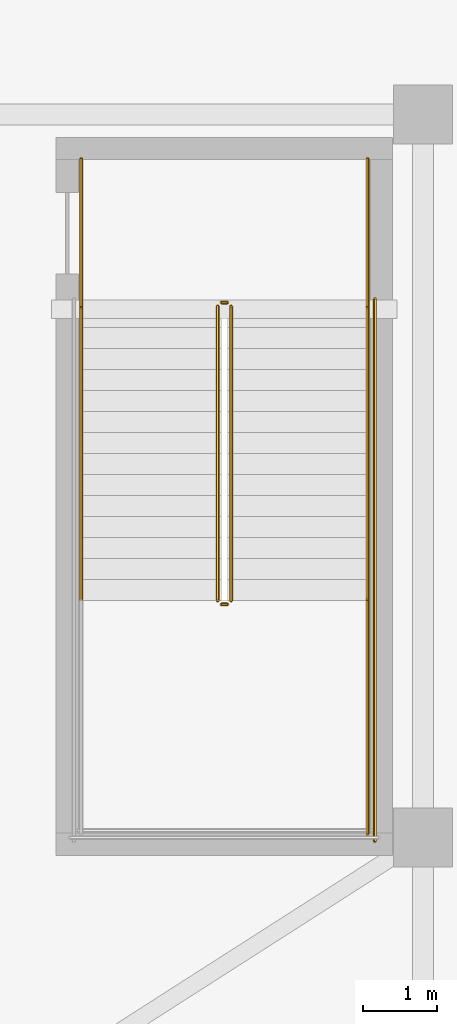
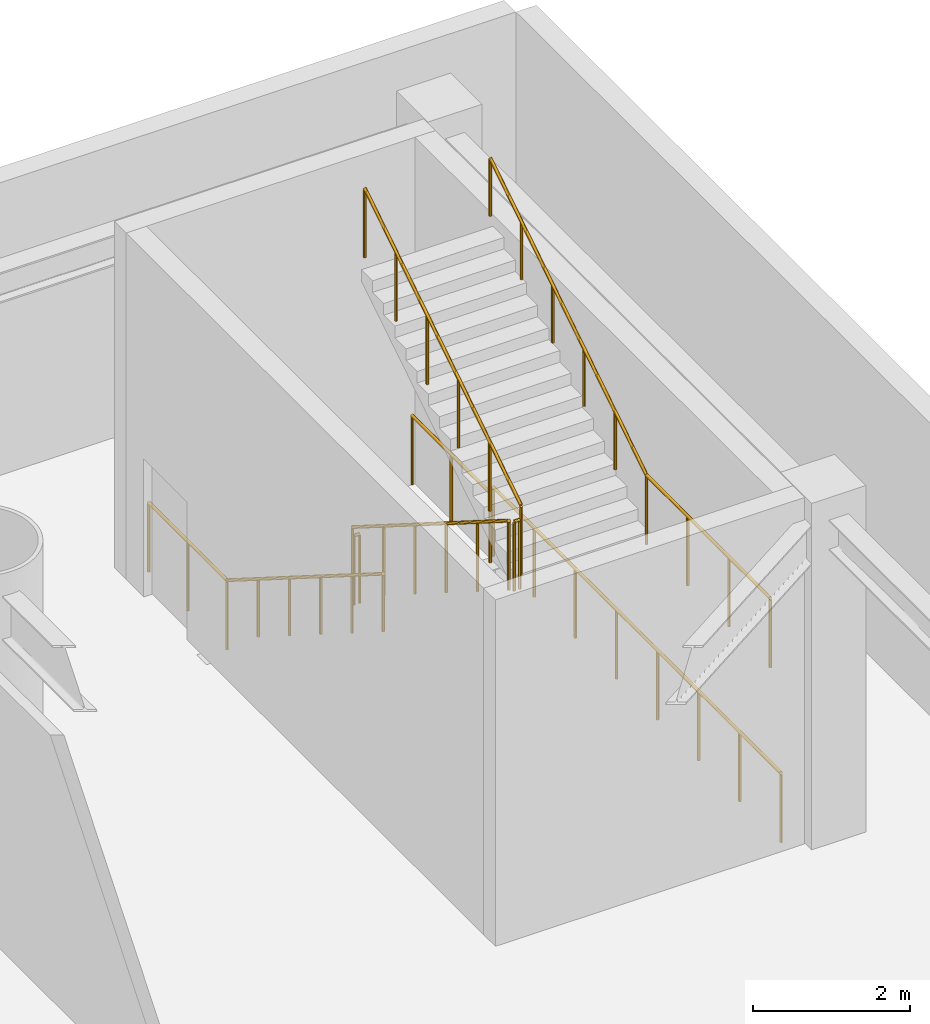
# One storey, part 16 of 16: 10 railings.
"""IFC4 building model written with IfcOpenShell, lengths in metres."""

import ifcopenshell
import ifcopenshell.guid

model = None  # the IFC model being written
_history = None  # IfcOwnerHistory: only IFC2X3 demands one
_inside = {}  # id of a spatial element -> (the spatial element, [elements in it])
_under = {}  # id of a project, library or spatial element -> (it, [spatial elements below it])
_declared = {}  # id of a project -> (the project, [libraries it declares])
_typed = {}  # id of a type object -> (the type object, [elements of that type])
_made_of = {}  # id of a material, layer set ... -> (it, [elements and type objects made of it])


def new_model(schema):
    """Start an empty IFC model of exactly this schema.

    Asked for "IFC4X3", IfcOpenShell would pick the latest addendum, in which some entities
    have other attributes; the version numbers below select the first issue.
    IFC2X3 requires an IfcOwnerHistory on every rooted entity: one is made here for all.
    """
    global model, _history
    if schema == "IFC4X3":
        model = ifcopenshell.file(schema_version=(4, 3, 0, 0))
    else:
        model = ifcopenshell.file(schema=schema)
    _inside.clear()
    _under.clear()
    _declared.clear()
    _typed.clear()
    _made_of.clear()
    _history = None
    if model.schema == "IFC2X3":
        org = make("IfcOrganization", Name="unknown")
        user = make(
            "IfcPersonAndOrganization",
            ThePerson=make("IfcPerson", FamilyName="unknown"),
            TheOrganization=org,
        )
        app = make(
            "IfcApplication",
            ApplicationDeveloper=org,
            Version="unknown",
            ApplicationFullName="unknown",
            ApplicationIdentifier="unknown",
        )
        _history = make(
            "IfcOwnerHistory",
            OwningUser=user,
            OwningApplication=app,
            ChangeAction="ADDED",
            CreationDate=0,
        )
    return model


def make(cls, **values):
    """One entity of the class cls with the attributes given. An attribute that is None is left unset."""
    return model.create_entity(
        cls, **{name: value for name, value in values.items() if value is not None}
    )


def rooted(cls, **values):
    """An entity with a GlobalId (a new one), such as an element, a storey or a relation."""
    return make(cls, GlobalId=ifcopenshell.guid.new(), OwnerHistory=_history, **values)


def si_unit(unit_type, name, prefix=None):
    """IfcSIUnit, for example si_unit("LENGTHUNIT", "METRE", prefix="MILLI")."""
    return make("IfcSIUnit", UnitType=unit_type, Prefix=prefix, Name=name)


def assignment(units):
    """IfcUnitAssignment: the units of a project."""
    return None if units is None else make("IfcUnitAssignment", Units=units)


def point(xyz):
    """IfcCartesianPoint."""
    return None if xyz is None else make("IfcCartesianPoint", Coordinates=xyz)


def direction(xyz):
    """IfcDirection."""
    return None if xyz is None else make("IfcDirection", DirectionRatios=xyz)


def frame(location, z_axis=None, x_axis=None):
    """IfcAxis2Placement3D, a coordinate frame: its origin and axes. An axis left out is left unset."""
    return make(
        "IfcAxis2Placement3D",
        Location=point(location),
        Axis=direction(z_axis),
        RefDirection=direction(x_axis),
    )


def frame_2d(location, x_axis=None):
    """IfcAxis2Placement2D, a coordinate frame in the plane: its origin and x axis."""
    return make(
        "IfcAxis2Placement2D", Location=point(location), RefDirection=direction(x_axis)
    )


def origin():
    """The frame at (0, 0, 0) with its axes left unset."""
    return frame((0.0, 0.0, 0.0))


def origin_2d():
    """The frame at (0, 0) in the plane with its x axis left unset."""
    return frame_2d((0.0, 0.0))


def place(relative_to, where):
    """IfcLocalPlacement: puts the frame where relative to a parent placement (None: the world)."""
    return make(
        "IfcLocalPlacement", PlacementRelTo=relative_to, RelativePlacement=where
    )


def context(
    kind, dimensions, precision=None, world=None, true_north=None, identifier=None
):
    """IfcGeometricRepresentationContext, for example the 3D "Model" context."""
    return make(
        "IfcGeometricRepresentationContext",
        ContextIdentifier=identifier,
        ContextType=kind,
        CoordinateSpaceDimension=dimensions,
        Precision=precision,
        WorldCoordinateSystem=world,
        TrueNorth=true_north,
    )


def subcontext(parent, identifier, kind, view, scale=None):
    """IfcGeometricRepresentationSubContext, for example "Body" below "Model"."""
    return make(
        "IfcGeometricRepresentationSubContext",
        ContextIdentifier=identifier,
        ContextType=kind,
        ParentContext=parent,
        TargetScale=scale,
        TargetView=view,
    )


def project(units=None, contexts=None):
    """IfcProject with its units and contexts."""
    return rooted(
        "IfcProject",
        Name="project",
        RepresentationContexts=contexts,
        UnitsInContext=assignment(units),
    )


def spatial(cls, under=None, at=None, **own):
    """A site, building, storey or space (cls), placed at a placement, below another one or the project."""
    s = rooted(cls, ObjectPlacement=at, **own)
    if under is not None:
        _under.setdefault(under.id(), (under, []))[1].append(s)
    return s


def profile(cls, at=None, kind="AREA", **sizes):
    """A parametric profile (cls). Its sizes go by their IFC names, for example OverallWidth=200.0."""
    return make(cls, ProfileType=kind, Position=at, **sizes)


def circle(**sizes):
    """IfcCircleProfileDef."""
    return profile("IfcCircleProfileDef", **sizes)


def extrude(swept, where, along, depth):
    """IfcExtrudedAreaSolid: the profile swept, set in the frame where, extruded along a direction by depth."""
    return make(
        "IfcExtrudedAreaSolid",
        SweptArea=swept,
        Position=where,
        ExtrudedDirection=direction(along),
        Depth=depth,
    )


def shape(context_of_items, identifier, shape_type, items):
    """IfcShapeRepresentation: the items that make up one representation, for example the "Body"."""
    return make(
        "IfcShapeRepresentation",
        ContextOfItems=context_of_items,
        RepresentationIdentifier=identifier,
        RepresentationType=shape_type,
        Items=items,
    )


def material(Name=None, Category=None):
    """IfcMaterial."""
    return make("IfcMaterial", Name=Name, Category=Category)


def made_of(thing, what):
    """Note that an element or type object is made of a material, layer set ...; save() writes the relation."""
    if what is not None:
        _made_of.setdefault(what.id(), (what, []))[1].append(thing)
    return thing


def type_object(cls, material=None, **own):
    """A type object (cls), such as IfcWallType, which elements share."""
    return made_of(rooted(cls, **own), material)


def element(
    cls,
    number,
    at=None,
    inside=None,
    cuts=None,
    type_object=None,
    material=None,
    context=None,
    identifier="Body",
    shape_type=None,
    held_by="IfcProductDefinitionShape",
    body=None,
    shapes=None,
    **own,
):
    """One element of the class cls, such as IfcWall. Its Tag is "e" and its number.

    at: its placement. inside: the storey or other place that contains it. cuts: it is an
    opening in that element (IfcRelVoidsElement). A single representation is given by context,
    identifier, shape_type and body (its items); several are given by shapes. held_by: the class
    of the entity that holds the representations. save() writes the other relations.
    """
    e = rooted(cls, Tag="e%d" % number, ObjectPlacement=at, **own)
    if body is not None:
        shapes = [shape(context, identifier, shape_type, body)]
    if shapes is not None:
        e.Representation = make(held_by, Representations=shapes)
    if inside is not None:
        _inside.setdefault(inside.id(), (inside, []))[1].append(e)
    if cuts is not None:
        rooted(
            "IfcRelVoidsElement", RelatingBuildingElement=cuts, RelatedOpeningElement=e
        )
    if type_object is not None:
        _typed.setdefault(type_object.id(), (type_object, []))[1].append(e)
    return made_of(e, material)


def aggregate(whole, parts):
    """IfcRelAggregates: a whole, such as a stair, and the parts it consists of."""
    return rooted("IfcRelAggregates", RelatingObject=whole, RelatedObjects=parts)


def save(model, path):
    """Write the relations noted so far, then the file.

    IfcRelAggregates (storeys below a building ...), IfcRelContainedInSpatialStructure (elements
    in a storey), IfcRelDefinesByType, IfcRelAssociatesMaterial and IfcRelDeclares: one each for
    every whole, place, type object, material and project.
    """
    for whole, parts in _under.values():
        aggregate(whole, parts)
    for where, things in _inside.values():
        rooted(
            "IfcRelContainedInSpatialStructure",
            RelatedElements=things,
            RelatingStructure=where,
        )
    for kind, things in _typed.values():
        rooted("IfcRelDefinesByType", RelatedObjects=things, RelatingType=kind)
    for what, things in _made_of.values():
        rooted("IfcRelAssociatesMaterial", RelatedObjects=things, RelatingMaterial=what)
    for by, libraries in _declared.values():
        rooted("IfcRelDeclares", RelatingContext=by, RelatedDefinitions=libraries)
    model.write(path)


model = new_model("IFC4")

# Units and contexts
model_context = context("Model", 3, precision=1e-05, world=origin(), true_north=direction((0.0, 1.0)))
body_context = subcontext(model_context, "Body", "Model", "MODEL_VIEW")
ifc_project = project(units=[si_unit("LENGTHUNIT", "METRE"), si_unit("AREAUNIT", "SQUARE_METRE"), si_unit("VOLUMEUNIT", "CUBIC_METRE"), si_unit("PLANEANGLEUNIT", "RADIAN"), si_unit("MASSUNIT", "GRAM", prefix="KILO")], contexts=[model_context])

# Site, building, storey
site_placement = place(None, origin())
site = spatial("IfcSite", under=ifc_project, at=site_placement, CompositionType="ELEMENT")
building_placement = place(site_placement, origin())
building = spatial("IfcBuilding", under=site, at=building_placement, Name="Bramvorn Convention Spire", CompositionType="ELEMENT")
storey_placement = place(building_placement, frame((0.0, 0.0, 6.60009765625)))
storey = spatial("IfcBuildingStorey", under=building, at=storey_placement, Name="L01", CompositionType="ELEMENT", Elevation=6.60009765625)

# Railings
ifc_material_1 = material(Name="Painted Steel Balustrade & Guardrail", Category="steel")
railing_type_1 = type_object("IfcRailingType", Name="RL-STAIR-GUARD-1100", PredefinedType="GUARDRAIL", material=ifc_material_1)
railing_1_placement = place(storey_placement, frame((70.419921875, 46.800048828125, 0.179931640625)))
element("IfcRailing", 1, at=railing_1_placement, inside=storey, type_object=railing_type_1, Name="L01 ST5 stair guard 1", PredefinedType="GUARDRAIL", context=body_context, shape_type="SweptSolid", body=[
    extrude(circle(Radius=0.02392578125, at=origin_2d()), frame((0.0, 0.0, 1.076171875), z_axis=(0.0, -0.845486444383, 0.533996884227), x_axis=(1.0, 0.0, 0.0)), (0.0, 0.0, 1.0), 4.71923828125),
    extrude(circle(Radius=0.02099609375, at=origin_2d()), origin(), (0.0, 0.0, 1.0), 1.052001953125),
    extrude(circle(Radius=0.02099609375, at=origin_2d()), frame((0.0, -0.798095703125, 0.50390625)), (0.0, 0.0, 1.0), 1.052001953125),
    extrude(circle(Radius=0.02099609375, at=origin_2d()), frame((0.0, -1.595947265625, 1.008056640625)), (0.0, 0.0, 1.0), 1.052001953125),
    extrude(circle(Radius=0.02099609375, at=origin_2d()), frame((0.0, -2.39404296875, 1.511962890625)), (0.0, 0.0, 1.0), 1.052001953125),
    extrude(circle(Radius=0.02099609375, at=origin_2d()), frame((0.0, -3.19189453125, 2.01611328125)), (0.0, 0.0, 1.0), 1.052001953125),
    extrude(circle(Radius=0.02099609375, at=origin_2d()), frame((0.0, -3.989990234375, 2.52001953125)), (0.0, 0.0, 1.0), 1.052001953125),
])
railing_2_placement = place(storey_placement, frame((70.469970703125, 42.760009765625, 2.699951171875)))
element("IfcRailing", 2, at=railing_2_placement, inside=storey, type_object=railing_type_1, Name="L01 ST5 stair guard 2", PredefinedType="GUARDRAIL", context=body_context, shape_type="SweptSolid", body=[
    extrude(circle(Radius=0.02392578125, at=origin_2d()), frame((0.0, 0.0, 1.076171875), z_axis=(1.0, 0.0, 0.0), x_axis=(0.0, 1.0, 0.0)), (0.0, 0.0, 1.0), 0.080078125),
    extrude(circle(Radius=0.02099609375, at=origin_2d()), origin(), (0.0, 0.0, 1.0), 1.052001953125),
    extrude(circle(Radius=0.02099609375, at=origin_2d()), frame((0.080078125, 0.0, 0.0)), (0.0, 0.0, 1.0), 1.052001953125),
])
railing_3_placement = place(storey_placement, frame((72.449951171875, 42.81005859375, 2.699951171875)))
element("IfcRailing", 3, at=railing_3_placement, inside=storey, type_object=railing_type_1, Name="L01 ST5 stair guard 4", PredefinedType="GUARDRAIL", context=body_context, shape_type="SweptSolid", body=[
    extrude(circle(Radius=0.02392578125, at=origin_2d()), frame((0.0, 0.0, 1.076171875), z_axis=(0.0, -1.0, 0.0), x_axis=(1.0, 0.0, 0.0)), (0.0, 0.0, 1.0), 3.16015625),
    extrude(circle(Radius=0.02099609375, at=origin_2d()), origin(), (0.0, 0.0, 1.0), 1.052001953125),
    extrude(circle(Radius=0.02099609375, at=origin_2d()), frame((0.0, -1.053466796875, 0.0)), (0.0, 0.0, 1.0), 1.052001953125),
    extrude(circle(Radius=0.02099609375, at=origin_2d()), frame((0.0, -2.106689453125, 0.0)), (0.0, 0.0, 1.0), 1.052001953125),
    extrude(circle(Radius=0.02099609375, at=origin_2d()), frame((0.0, -3.16015625, 0.0)), (0.0, 0.0, 1.0), 1.052001953125),
])
railing_4_placement = place(storey_placement, frame((70.60009765625, 42.81005859375, 2.8798828125)))
element("IfcRailing", 4, at=railing_4_placement, inside=storey, type_object=railing_type_1, Name="L01 ST5 stair guard 6", PredefinedType="GUARDRAIL", context=body_context, shape_type="SweptSolid", body=[
    extrude(circle(Radius=0.02392578125, at=origin_2d()), frame((0.0, 0.0, 1.076171875), z_axis=(0.0, 0.845486444383, 0.533996884227), x_axis=(-1.0, 0.0, 0.0)), (0.0, 0.0, 1.0), 4.71923828125),
    extrude(circle(Radius=0.02099609375, at=origin_2d()), origin(), (0.0, 0.0, 1.0), 1.052001953125),
    extrude(circle(Radius=0.02099609375, at=origin_2d()), frame((0.0, 0.798095703125, 0.50390625)), (0.0, 0.0, 1.0), 1.052001953125),
    extrude(circle(Radius=0.02099609375, at=origin_2d()), frame((0.0, 1.595947265625, 1.008056640625)), (0.0, 0.0, 1.0), 1.052001953125),
    extrude(circle(Radius=0.02099609375, at=origin_2d()), frame((0.0, 2.39404296875, 1.511962890625)), (0.0, 0.0, 1.0), 1.052001953125),
    extrude(circle(Radius=0.02099609375, at=origin_2d()), frame((0.0, 3.19189453125, 2.01611328125)), (0.0, 0.0, 1.0), 1.052001953125),
    extrude(circle(Radius=0.02099609375, at=origin_2d()), frame((0.0, 3.989990234375, 2.52001953125)), (0.0, 0.0, 1.0), 1.052001953125),
])
railing_5_placement = place(storey_placement, frame((70.469970703125, 46.85009765625, 0.0)))
element("IfcRailing", 5, at=railing_5_placement, inside=storey, type_object=railing_type_1, Name="L01 ST5 stair guard 7", PredefinedType="GUARDRAIL", context=body_context, shape_type="SweptSolid", body=[
    extrude(circle(Radius=0.02392578125, at=origin_2d()), frame((0.0, 0.0, 1.076171875), z_axis=(1.0, 0.0, 0.0), x_axis=(0.0, 1.0, 0.0)), (0.0, 0.0, 1.0), 0.080078125),
    extrude(circle(Radius=0.02099609375, at=origin_2d()), origin(), (0.0, 0.0, 1.0), 1.052001953125),
    extrude(circle(Radius=0.02099609375, at=origin_2d()), frame((0.080078125, 0.0, 0.0)), (0.0, 0.0, 1.0), 1.052001953125),
])
for number, where, name in (
    (6, (68.570068359375, 48.800048828125, 0.0), "L01 ST5 stair guard 8"),
    (7, (72.449951171875, 48.800048828125, 0.0), "L01 ST5 stair guard 9"),
):
    element("IfcRailing", number, at=place(storey_placement, frame(where)), inside=storey, type_object=railing_type_1, Name=name, PredefinedType="GUARDRAIL", context=body_context, shape_type="SweptSolid", body=[
        extrude(circle(Radius=0.02392578125, at=origin_2d()), frame((0.0, 0.0, 1.076171875), z_axis=(0.0, -1.0, 0.0), x_axis=(1.0, 0.0, 0.0)), (0.0, 0.0, 1.0), 2.0),
        extrude(circle(Radius=0.02099609375, at=origin_2d()), origin(), (0.0, 0.0, 1.0), 1.052001953125),
        extrude(circle(Radius=0.02099609375, at=origin_2d()), frame((0.0, -1.0, 0.0)), (0.0, 0.0, 1.0), 1.052001953125),
        extrude(circle(Radius=0.02099609375, at=origin_2d()), frame((0.0, -2.0, 0.0)), (0.0, 0.0, 1.0), 1.052001953125),
    ])
railing_6_placement = place(storey_placement, frame((72.550048828125, 46.89990234375, 0.0)))
element("IfcRailing", 8, at=railing_6_placement, inside=storey, type_object=railing_type_1, Name="L01 ST5 stair guard 11", PredefinedType="GUARDRAIL", context=body_context, shape_type="SweptSolid", body=[
    extrude(circle(Radius=0.02392578125, at=origin_2d()), frame((0.0, 0.0, 1.076171875), z_axis=(0.0, -1.0, 0.0), x_axis=(1.0, 0.0, 0.0)), (0.0, 0.0, 1.0), 7.349853515625),
    extrude(circle(Radius=0.02099609375, at=origin_2d()), origin(), (0.0, 0.0, 1.0), 1.052001953125),
    extrude(circle(Radius=0.02099609375, at=origin_2d()), frame((0.0, -1.050048828125, 0.0)), (0.0, 0.0, 1.0), 1.052001953125),
    extrude(circle(Radius=0.02099609375, at=origin_2d()), frame((0.0, -2.099853515625, 0.0)), (0.0, 0.0, 1.0), 1.052001953125),
    extrude(circle(Radius=0.02099609375, at=origin_2d()), frame((0.0, -3.14990234375, 0.0)), (0.0, 0.0, 1.0), 1.052001953125),
    extrude(circle(Radius=0.02099609375, at=origin_2d()), frame((0.0, -4.199951171875, 0.0)), (0.0, 0.0, 1.0), 1.052001953125),
    extrude(circle(Radius=0.02099609375, at=origin_2d()), frame((0.0, -5.25, 0.0)), (0.0, 0.0, 1.0), 1.052001953125),
    extrude(circle(Radius=0.02099609375, at=origin_2d()), frame((0.0, -6.2998046875, 0.0)), (0.0, 0.0, 1.0), 1.052001953125),
    extrude(circle(Radius=0.02099609375, at=origin_2d()), frame((0.0, -7.349853515625, 0.0)), (0.0, 0.0, 1.0), 1.052001953125),
])
ifc_material_2 = material(Name="Brushed Bronze Tubular Handrail", Category="aluminium")
railing_type_2 = type_object("IfcRailingType", Name="RL-STAIR-HR-920", PredefinedType="HANDRAIL", material=ifc_material_2)
railing_7_placement = place(storey_placement, frame((68.570068359375, 46.800048828125, 0.179931640625)))
element("IfcRailing", 9, at=railing_7_placement, inside=storey, type_object=railing_type_2, Name="L01 ST5 stair handrail 1", PredefinedType="HANDRAIL", context=body_context, shape_type="SweptSolid", body=[
    extrude(circle(Radius=0.02392578125, at=origin_2d()), frame((0.0, 0.0, 0.89599609375), z_axis=(0.0, -0.845486444383, 0.533996884227), x_axis=(1.0, 0.0, 0.0)), (0.0, 0.0, 1.0), 4.71923828125),
    extrude(circle(Radius=0.02099609375, at=origin_2d()), origin(), (0.0, 0.0, 1.0), 0.871826171875),
    extrude(circle(Radius=0.02099609375, at=origin_2d()), frame((0.0, -0.798095703125, 0.50390625)), (0.0, 0.0, 1.0), 0.871826171875),
    extrude(circle(Radius=0.02099609375, at=origin_2d()), frame((0.0, -1.595947265625, 1.008056640625)), (0.0, 0.0, 1.0), 0.871826171875),
    extrude(circle(Radius=0.02099609375, at=origin_2d()), frame((0.0, -2.39404296875, 1.511962890625)), (0.0, 0.0, 1.0), 0.871826171875),
    extrude(circle(Radius=0.02099609375, at=origin_2d()), frame((0.0, -3.19189453125, 2.01611328125)), (0.0, 0.0, 1.0), 0.871826171875),
    extrude(circle(Radius=0.02099609375, at=origin_2d()), frame((0.0, -3.989990234375, 2.52001953125)), (0.0, 0.0, 1.0), 0.871826171875),
])
railing_8_placement = place(storey_placement, frame((72.449951171875, 42.81005859375, 2.8798828125)))
element("IfcRailing", 10, at=railing_8_placement, inside=storey, type_object=railing_type_2, Name="L01 ST5 stair handrail 2", PredefinedType="HANDRAIL", context=body_context, shape_type="SweptSolid", body=[
    extrude(circle(Radius=0.02392578125, at=origin_2d()), frame((0.0, 0.0, 0.89599609375), z_axis=(0.0, 0.845486444383, 0.533996884227), x_axis=(-1.0, 0.0, 0.0)), (0.0, 0.0, 1.0), 4.71923828125),
    extrude(circle(Radius=0.02099609375, at=origin_2d()), origin(), (0.0, 0.0, 1.0), 0.871826171875),
    extrude(circle(Radius=0.02099609375, at=origin_2d()), frame((0.0, 0.798095703125, 0.50390625)), (0.0, 0.0, 1.0), 0.871826171875),
    extrude(circle(Radius=0.02099609375, at=origin_2d()), frame((0.0, 1.595947265625, 1.008056640625)), (0.0, 0.0, 1.0), 0.871826171875),
    extrude(circle(Radius=0.02099609375, at=origin_2d()), frame((0.0, 2.39404296875, 1.511962890625)), (0.0, 0.0, 1.0), 0.871826171875),
    extrude(circle(Radius=0.02099609375, at=origin_2d()), frame((0.0, 3.19189453125, 2.01611328125)), (0.0, 0.0, 1.0), 0.871826171875),
    extrude(circle(Radius=0.02099609375, at=origin_2d()), frame((0.0, 3.989990234375, 2.52001953125)), (0.0, 0.0, 1.0), 0.871826171875),
])

save(model, "model.ifc")
